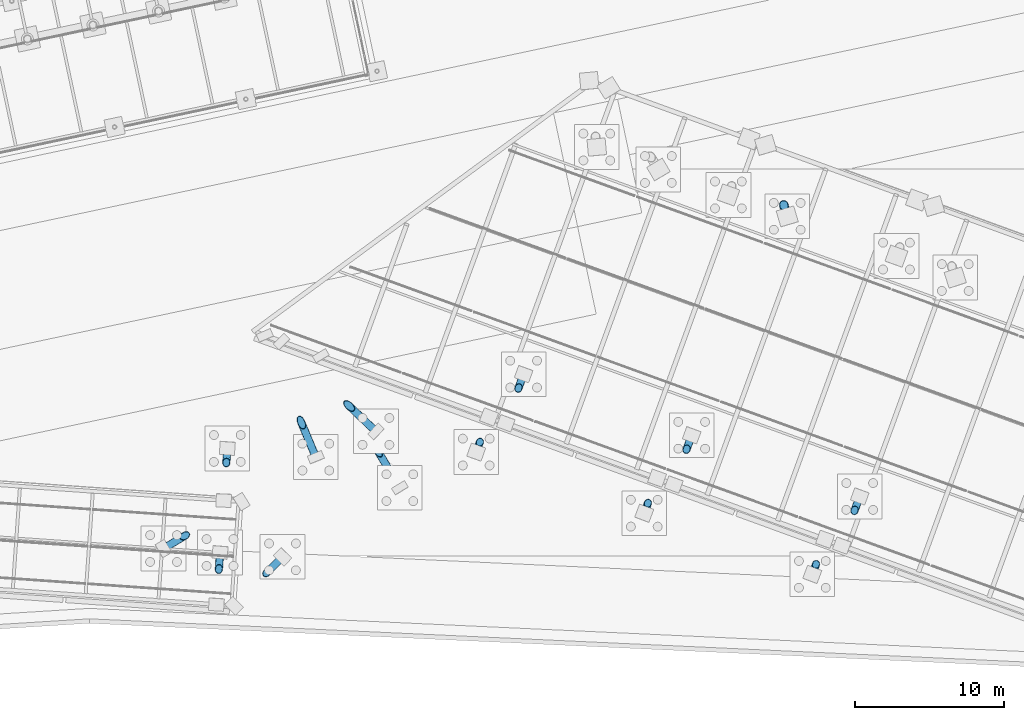
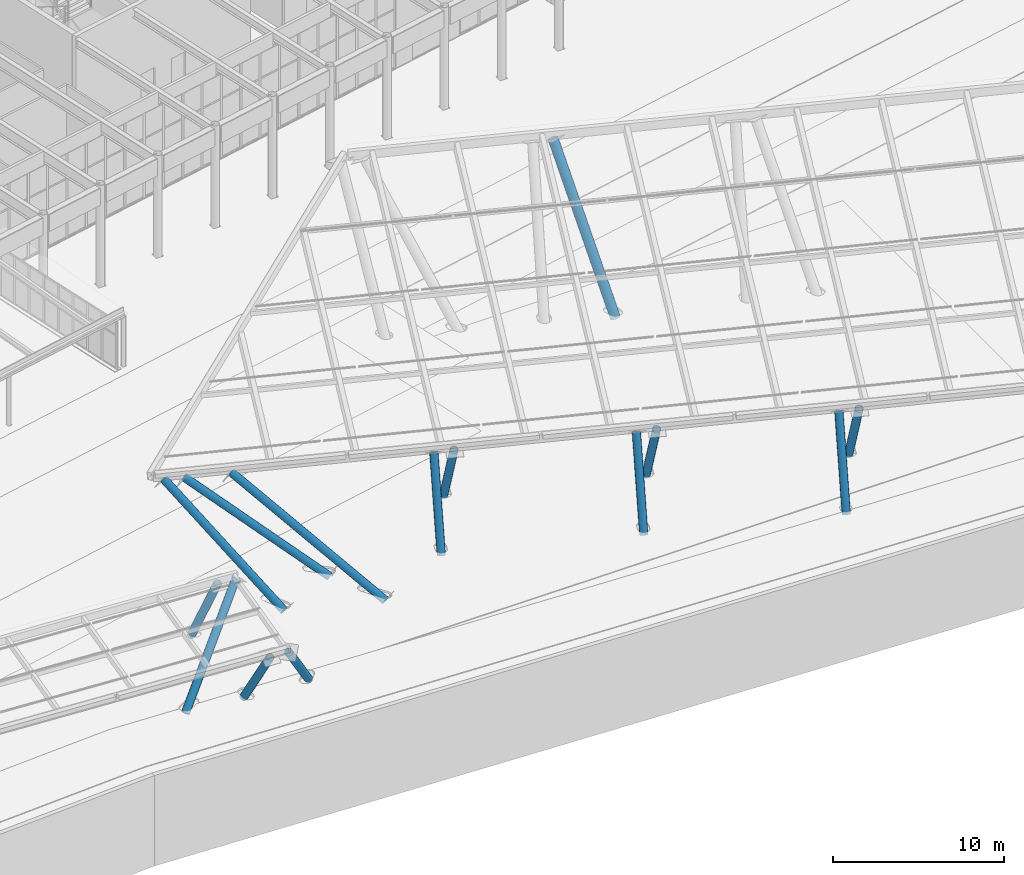
# One storey, part 18 of 239: 14 columns.
"""IFC4 building model written with IfcOpenShell, lengths in metres."""

import ifcopenshell
import ifcopenshell.guid

model = None  # the IFC model being written
_history = None  # IfcOwnerHistory: only IFC2X3 demands one
_inside = {}  # id of a spatial element -> (the spatial element, [elements in it])
_under = {}  # id of a project, library or spatial element -> (it, [spatial elements below it])
_declared = {}  # id of a project -> (the project, [libraries it declares])
_typed = {}  # id of a type object -> (the type object, [elements of that type])
_made_of = {}  # id of a material, layer set ... -> (it, [elements and type objects made of it])


def new_model(schema):
    """Start an empty IFC model of exactly this schema.

    Asked for "IFC4X3", IfcOpenShell would pick the latest addendum, in which some entities
    have other attributes; the version numbers below select the first issue.
    IFC2X3 requires an IfcOwnerHistory on every rooted entity: one is made here for all.
    """
    global model, _history
    if schema == "IFC4X3":
        model = ifcopenshell.file(schema_version=(4, 3, 0, 0))
    else:
        model = ifcopenshell.file(schema=schema)
    _inside.clear()
    _under.clear()
    _declared.clear()
    _typed.clear()
    _made_of.clear()
    _history = None
    if model.schema == "IFC2X3":
        org = make("IfcOrganization", Name="unknown")
        user = make(
            "IfcPersonAndOrganization",
            ThePerson=make("IfcPerson", FamilyName="unknown"),
            TheOrganization=org,
        )
        app = make(
            "IfcApplication",
            ApplicationDeveloper=org,
            Version="unknown",
            ApplicationFullName="unknown",
            ApplicationIdentifier="unknown",
        )
        _history = make(
            "IfcOwnerHistory",
            OwningUser=user,
            OwningApplication=app,
            ChangeAction="ADDED",
            CreationDate=0,
        )
    return model


def make(cls, **values):
    """One entity of the class cls with the attributes given. An attribute that is None is left unset."""
    return model.create_entity(
        cls, **{name: value for name, value in values.items() if value is not None}
    )


def rooted(cls, **values):
    """An entity with a GlobalId (a new one), such as an element, a storey or a relation."""
    return make(cls, GlobalId=ifcopenshell.guid.new(), OwnerHistory=_history, **values)


def si_unit(unit_type, name, prefix=None):
    """IfcSIUnit, for example si_unit("LENGTHUNIT", "METRE", prefix="MILLI")."""
    return make("IfcSIUnit", UnitType=unit_type, Prefix=prefix, Name=name)


def assignment(units):
    """IfcUnitAssignment: the units of a project."""
    return None if units is None else make("IfcUnitAssignment", Units=units)


def point(xyz):
    """IfcCartesianPoint."""
    return None if xyz is None else make("IfcCartesianPoint", Coordinates=xyz)


def direction(xyz):
    """IfcDirection."""
    return None if xyz is None else make("IfcDirection", DirectionRatios=xyz)


def frame(location, z_axis=None, x_axis=None):
    """IfcAxis2Placement3D, a coordinate frame: its origin and axes. An axis left out is left unset."""
    return make(
        "IfcAxis2Placement3D",
        Location=point(location),
        Axis=direction(z_axis),
        RefDirection=direction(x_axis),
    )


def frame_2d(location, x_axis=None):
    """IfcAxis2Placement2D, a coordinate frame in the plane: its origin and x axis."""
    return make(
        "IfcAxis2Placement2D", Location=point(location), RefDirection=direction(x_axis)
    )


def origin():
    """The frame at (0, 0, 0) with its axes left unset."""
    return frame((0.0, 0.0, 0.0))


def origin_2d():
    """The frame at (0, 0) in the plane with its x axis left unset."""
    return frame_2d((0.0, 0.0))


def place(relative_to, where):
    """IfcLocalPlacement: puts the frame where relative to a parent placement (None: the world)."""
    return make(
        "IfcLocalPlacement", PlacementRelTo=relative_to, RelativePlacement=where
    )


def context(
    kind, dimensions, precision=None, world=None, true_north=None, identifier=None
):
    """IfcGeometricRepresentationContext, for example the 3D "Model" context."""
    return make(
        "IfcGeometricRepresentationContext",
        ContextIdentifier=identifier,
        ContextType=kind,
        CoordinateSpaceDimension=dimensions,
        Precision=precision,
        WorldCoordinateSystem=world,
        TrueNorth=true_north,
    )


def subcontext(parent, identifier, kind, view, scale=None):
    """IfcGeometricRepresentationSubContext, for example "Body" below "Model"."""
    return make(
        "IfcGeometricRepresentationSubContext",
        ContextIdentifier=identifier,
        ContextType=kind,
        ParentContext=parent,
        TargetScale=scale,
        TargetView=view,
    )


def project(units=None, contexts=None):
    """IfcProject with its units and contexts."""
    return rooted(
        "IfcProject",
        Name="project",
        RepresentationContexts=contexts,
        UnitsInContext=assignment(units),
    )


def spatial(cls, under=None, at=None, **own):
    """A site, building, storey or space (cls), placed at a placement, below another one or the project."""
    s = rooted(cls, ObjectPlacement=at, **own)
    if under is not None:
        _under.setdefault(under.id(), (under, []))[1].append(s)
    return s


def profile(cls, at=None, kind="AREA", **sizes):
    """A parametric profile (cls). Its sizes go by their IFC names, for example OverallWidth=200.0."""
    return make(cls, ProfileType=kind, Position=at, **sizes)


def hollow_circle(**sizes):
    """IfcCircleHollowProfileDef."""
    return profile("IfcCircleHollowProfileDef", **sizes)


def extrude(swept, where, along, depth):
    """IfcExtrudedAreaSolid: the profile swept, set in the frame where, extruded along a direction by depth."""
    return make(
        "IfcExtrudedAreaSolid",
        SweptArea=swept,
        Position=where,
        ExtrudedDirection=direction(along),
        Depth=depth,
    )


def shape(context_of_items, identifier, shape_type, items):
    """IfcShapeRepresentation: the items that make up one representation, for example the "Body"."""
    return make(
        "IfcShapeRepresentation",
        ContextOfItems=context_of_items,
        RepresentationIdentifier=identifier,
        RepresentationType=shape_type,
        Items=items,
    )


def material(Name=None, Category=None):
    """IfcMaterial."""
    return make("IfcMaterial", Name=Name, Category=Category)


def material_profile(
    of_material, cross_section, Name=None, Category=None, Priority=None
):
    """IfcMaterialProfile: a cross section and its material."""
    return make(
        "IfcMaterialProfile",
        Name=Name,
        Material=of_material,
        Profile=cross_section,
        Priority=Priority,
        Category=Category,
    )


def profile_set(profiles, Name=None, composite=None):
    """IfcMaterialProfileSet."""
    return make(
        "IfcMaterialProfileSet",
        Name=Name,
        MaterialProfiles=profiles,
        CompositeProfile=composite,
    )


def made_of(thing, what):
    """Note that an element or type object is made of a material, layer set ...; save() writes the relation."""
    if what is not None:
        _made_of.setdefault(what.id(), (what, []))[1].append(thing)
    return thing


def type_object(cls, material=None, **own):
    """A type object (cls), such as IfcWallType, which elements share."""
    return made_of(rooted(cls, **own), material)


def element(
    cls,
    number,
    at=None,
    inside=None,
    cuts=None,
    type_object=None,
    material=None,
    context=None,
    identifier="Body",
    shape_type=None,
    held_by="IfcProductDefinitionShape",
    body=None,
    shapes=None,
    **own,
):
    """One element of the class cls, such as IfcWall. Its Tag is "e" and its number.

    at: its placement. inside: the storey or other place that contains it. cuts: it is an
    opening in that element (IfcRelVoidsElement). A single representation is given by context,
    identifier, shape_type and body (its items); several are given by shapes. held_by: the class
    of the entity that holds the representations. save() writes the other relations.
    """
    e = rooted(cls, Tag="e%d" % number, ObjectPlacement=at, **own)
    if body is not None:
        shapes = [shape(context, identifier, shape_type, body)]
    if shapes is not None:
        e.Representation = make(held_by, Representations=shapes)
    if inside is not None:
        _inside.setdefault(inside.id(), (inside, []))[1].append(e)
    if cuts is not None:
        rooted(
            "IfcRelVoidsElement", RelatingBuildingElement=cuts, RelatedOpeningElement=e
        )
    if type_object is not None:
        _typed.setdefault(type_object.id(), (type_object, []))[1].append(e)
    return made_of(e, material)


def aggregate(whole, parts):
    """IfcRelAggregates: a whole, such as a stair, and the parts it consists of."""
    return rooted("IfcRelAggregates", RelatingObject=whole, RelatedObjects=parts)


def save(model, path):
    """Write the relations noted so far, then the file.

    IfcRelAggregates (storeys below a building ...), IfcRelContainedInSpatialStructure (elements
    in a storey), IfcRelDefinesByType, IfcRelAssociatesMaterial and IfcRelDeclares: one each for
    every whole, place, type object, material and project.
    """
    for whole, parts in _under.values():
        aggregate(whole, parts)
    for where, things in _inside.values():
        rooted(
            "IfcRelContainedInSpatialStructure",
            RelatedElements=things,
            RelatingStructure=where,
        )
    for kind, things in _typed.values():
        rooted("IfcRelDefinesByType", RelatedObjects=things, RelatingType=kind)
    for what, things in _made_of.values():
        rooted("IfcRelAssociatesMaterial", RelatedObjects=things, RelatingMaterial=what)
    for by, libraries in _declared.values():
        rooted("IfcRelDeclares", RelatingContext=by, RelatedDefinitions=libraries)
    model.write(path)


model = new_model("IFC4")

# Units and contexts
model_context = context("Model", 3, precision=1e-05, world=origin(), true_north=direction((0.0, 1.0)))
body_context = subcontext(model_context, "Body", "Model", "MODEL_VIEW")
ifc_project = project(units=[si_unit("LENGTHUNIT", "METRE"), si_unit("AREAUNIT", "SQUARE_METRE"), si_unit("VOLUMEUNIT", "CUBIC_METRE"), si_unit("PLANEANGLEUNIT", "RADIAN"), si_unit("MASSUNIT", "GRAM", prefix="KILO")], contexts=[model_context])

# Site, building, storey
site_placement = place(None, origin())
site = spatial("IfcSite", under=ifc_project, at=site_placement, CompositionType="ELEMENT")
building_placement = place(site_placement, origin())
building = spatial("IfcBuilding", under=site, at=building_placement, Name="Okhra Congress Centre", CompositionType="ELEMENT")
storey_placement = place(building_placement, origin())
storey = spatial("IfcBuildingStorey", under=building, at=storey_placement, Name="L00", CompositionType="ELEMENT", Elevation=0.0)

# Columns
ifc_material = material(Name="Steel S355J2H", Category="steel")
ifc_material_profile_1 = material_profile(ifc_material, hollow_circle(Radius=0.25390625, WallThickness=0.02001953125, at=origin_2d()), Name="CHS 508x20")
ifc_profile_set_1 = profile_set([ifc_material_profile_1], Name="Steel S355J2H")
column_type_1 = type_object("IfcColumnType", Name="Raking steel strut CHS 508x20", PredefinedType="COLUMN", material=ifc_profile_set_1)
column_1_placement = place(storey_placement, frame((155.19677734375, 14.652587890625, -0.39990234375), z_axis=(-0.325552373643, 0.777899809598, 0.537482593432), x_axis=(-0.922474820104, -0.386057257767, 0.0)))
element("IfcColumn", 1, at=column_1_placement, inside=storey, type_object=column_type_1, Name="Entrance canopy raking strut 1", PredefinedType="COLUMN", context=body_context, shape_type="SweptSolid", body=[
    extrude(hollow_circle(Radius=0.25390625, WallThickness=0.02001953125, at=origin_2d()), origin(), (0.0, 0.0, 1.0), 10.489990234375),
])
column_2_placement = place(storey_placement, frame((159.229736328125, 16.377197265625, -0.39990234375), z_axis=(-0.608088880683, 0.579644536193, 0.54243905174), x_axis=(-0.689974856306, -0.723833335558, 0.0)))
element("IfcColumn", 2, at=column_2_placement, inside=storey, type_object=column_type_1, Name="Entrance canopy raking strut 2", PredefinedType="COLUMN", context=body_context, shape_type="SweptSolid", body=[
    extrude(hollow_circle(Radius=0.25390625, WallThickness=0.02001953125, at=origin_2d()), origin(), (0.0, 0.0, 1.0), 10.39404296875),
])
column_3_placement = place(storey_placement, frame((160.834716796875, 12.600341796875, -0.39990234375), z_axis=(-0.450609123956, 0.75276763313, 0.479887807638), x_axis=(-0.858021210871, -0.513614253789, 0.0)))
element("IfcColumn", 3, at=column_3_placement, inside=storey, type_object=column_type_1, Name="Entrance canopy raking strut 3", PredefinedType="COLUMN", context=body_context, shape_type="SweptSolid", body=[
    extrude(hollow_circle(Radius=0.25390625, WallThickness=0.02001953125, at=origin_2d()), origin(), (0.0, 0.0, 1.0), 11.7490234375),
])
column_4_placement = place(storey_placement, frame((165.961669921875, 14.990966796875, -0.39990234375), z_axis=(0.138623893499, 0.380918825568, 0.914157680315), x_axis=(-0.939707859211, 0.341978273195, 0.0)))
element("IfcColumn", 4, at=column_4_placement, inside=storey, type_object=column_type_1, Name="Entrance canopy raking strut 4", PredefinedType="COLUMN", context=body_context, shape_type="SweptSolid", body=[
    extrude(hollow_circle(Radius=0.25390625, WallThickness=0.02001953125, at=origin_2d()), origin(), (0.0, 0.0, 1.0), 6.167724609375),
])
column_5_placement = place(storey_placement, frame((169.141357421875, 20.21875, -0.39990234375), z_axis=(-0.180379287926, -0.495592369498, 0.849618453061), x_axis=(0.939693585395, -0.342017493073, 0.0)))
element("IfcColumn", 5, at=column_5_placement, inside=storey, type_object=column_type_1, Name="Entrance canopy raking strut 5", PredefinedType="COLUMN", context=body_context, shape_type="SweptSolid", body=[
    extrude(hollow_circle(Radius=0.25390625, WallThickness=0.02001953125, at=origin_2d()), origin(), (0.0, 0.0, 1.0), 6.63623046875),
])
column_6_placement = place(storey_placement, frame((177.238037109375, 10.886962890625, -0.39990234375), z_axis=(0.13862598366, 0.380884984231, 0.914171463918), x_axis=(-0.939696437289, 0.342009657388, 0.0)))
element("IfcColumn", 6, at=column_6_placement, inside=storey, type_object=column_type_1, Name="Entrance canopy raking strut 6", PredefinedType="COLUMN", context=body_context, shape_type="SweptSolid", body=[
    extrude(hollow_circle(Radius=0.25390625, WallThickness=0.02001953125, at=origin_2d()), origin(), (0.0, 0.0, 1.0), 6.16748046875),
])
column_7_placement = place(storey_placement, frame((180.417724609375, 16.114501953125, -0.39990234375), z_axis=(-0.180379287926, -0.495592369498, 0.849618453061), x_axis=(0.939693585395, -0.342017493073, 0.0)))
element("IfcColumn", 7, at=column_7_placement, inside=storey, type_object=column_type_1, Name="Entrance canopy raking strut 7", PredefinedType="COLUMN", context=body_context, shape_type="SweptSolid", body=[
    extrude(hollow_circle(Radius=0.25390625, WallThickness=0.02001953125, at=origin_2d()), origin(), (0.0, 0.0, 1.0), 6.63623046875),
])
column_8_placement = place(storey_placement, frame((188.514404296875, 6.78271484375, -0.39990234375), z_axis=(0.13862598366, 0.380884984231, 0.914171463918), x_axis=(-0.939696437289, 0.342009657388, 0.0)))
element("IfcColumn", 8, at=column_8_placement, inside=storey, type_object=column_type_1, Name="Entrance canopy raking strut 8", PredefinedType="COLUMN", context=body_context, shape_type="SweptSolid", body=[
    extrude(hollow_circle(Radius=0.25390625, WallThickness=0.02001953125, at=origin_2d()), origin(), (0.0, 0.0, 1.0), 6.16748046875),
])
column_9_placement = place(storey_placement, frame((191.694091796875, 12.01025390625, -0.39990234375), z_axis=(-0.180379287926, -0.495592369498, 0.849618453061), x_axis=(0.939693585395, -0.342017493073, 0.0)))
element("IfcColumn", 9, at=column_9_placement, inside=storey, type_object=column_type_1, Name="Entrance canopy raking strut 9", PredefinedType="COLUMN", context=body_context, shape_type="SweptSolid", body=[
    extrude(hollow_circle(Radius=0.25390625, WallThickness=0.02001953125, at=origin_2d()), origin(), (0.0, 0.0, 1.0), 6.63623046875),
])
column_10_placement = place(storey_placement, frame((148.769775390625, 8.2509765625, -0.39990234375), z_axis=(-0.039823951277, -0.569522327217, 0.821010579533), x_axis=(0.997564163539, -0.069754853754, 0.0)))
element("IfcColumn", 10, at=column_10_placement, inside=storey, type_object=column_type_1, Name="Covered promenade raking strut 11", PredefinedType="COLUMN", context=body_context, shape_type="SweptSolid", body=[
    extrude(hollow_circle(Radius=0.25390625, WallThickness=0.02001953125, at=origin_2d()), origin(), (0.0, 0.0, 1.0), 6.130615234375),
])
column_11_placement = place(storey_placement, frame((152.959716796875, 7.9580078125, -0.39990234375), z_axis=(-0.474246085992, -0.480899410174, 0.737445867312), x_axis=(0.712015050668, -0.702164202749, 0.0)))
element("IfcColumn", 11, at=column_11_placement, inside=storey, type_object=column_type_1, Name="Covered promenade raking strut 12", PredefinedType="COLUMN", context=body_context, shape_type="SweptSolid", body=[
    extrude(hollow_circle(Radius=0.25390625, WallThickness=0.02001953125, at=origin_2d()), origin(), (0.0, 0.0, 1.0), 6.8251953125),
])
column_12_placement = place(storey_placement, frame((149.258056640625, 15.23388671875, -0.39990234375), z_axis=(-0.035620962682, -0.509415387318, 0.859783176261), x_axis=(0.997564163539, -0.069754853754, 0.0)))
element("IfcColumn", 12, at=column_12_placement, inside=storey, type_object=column_type_1, Name="Covered promenade raking strut 13", PredefinedType="COLUMN", context=body_context, shape_type="SweptSolid", body=[
    extrude(hollow_circle(Radius=0.25390625, WallThickness=0.02001953125, at=origin_2d()), origin(), (0.0, 0.0, 1.0), 6.853759765625),
])
column_13_placement = place(storey_placement, frame((144.979248046875, 8.51611328125, -0.39990234375), z_axis=(0.616699443547, 0.370422549573, 0.694599835226), x_axis=(-0.514907482788, 0.857245754827, 0.0)))
element("IfcColumn", 13, at=column_13_placement, inside=storey, type_object=column_type_1, Name="Covered promenade raking strut 14", PredefinedType="COLUMN", context=body_context, shape_type="SweptSolid", body=[
    extrude(hollow_circle(Radius=0.25390625, WallThickness=0.02001953125, at=origin_2d()), origin(), (0.0, 0.0, 1.0), 8.48388671875),
])
ifc_material_profile_2 = material_profile(ifc_material, hollow_circle(Radius=0.304931640625, WallThickness=0.02490234375, at=origin_2d()), Name="CHS 610x25")
ifc_profile_set_2 = profile_set([ifc_material_profile_2], Name="Steel S355J2H")
column_type_2 = type_object("IfcColumnType", Name="Raking steel strut CHS 610x25", PredefinedType="COLUMN", material=ifc_profile_set_2)
column_14_placement = place(storey_placement, frame((186.829833984375, 30.8076171875, -0.39990234375), z_axis=(-0.125565718962, 0.414024651066, 0.901563552131), x_axis=(-0.956957853154, -0.290226923779, 0.0)))
element("IfcColumn", 14, at=column_14_placement, inside=storey, type_object=column_type_2, Name="Entrance canopy raking strut 15", PredefinedType="COLUMN", context=body_context, shape_type="SweptSolid", body=[
    extrude(hollow_circle(Radius=0.304931640625, WallThickness=0.02490234375, at=origin_2d()), origin(), (0.0, 0.0, 1.0), 11.55712890625),
])

save(model, "model.ifc")
